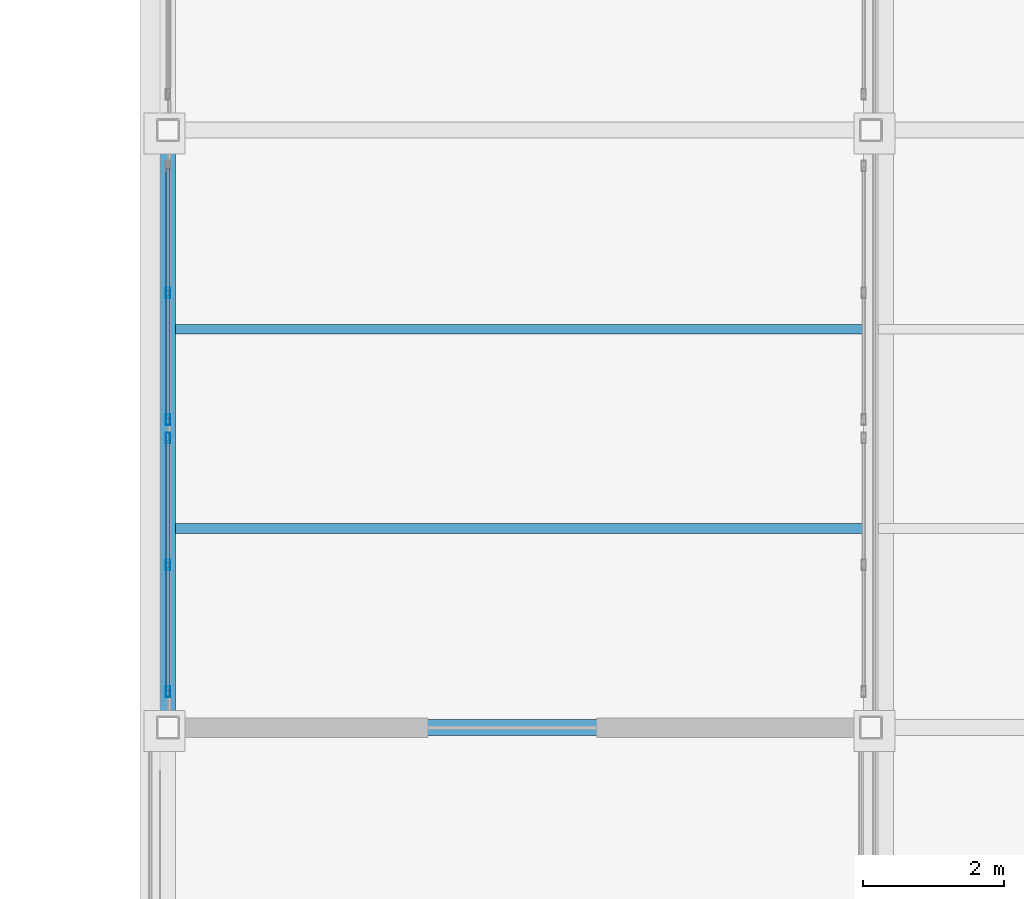
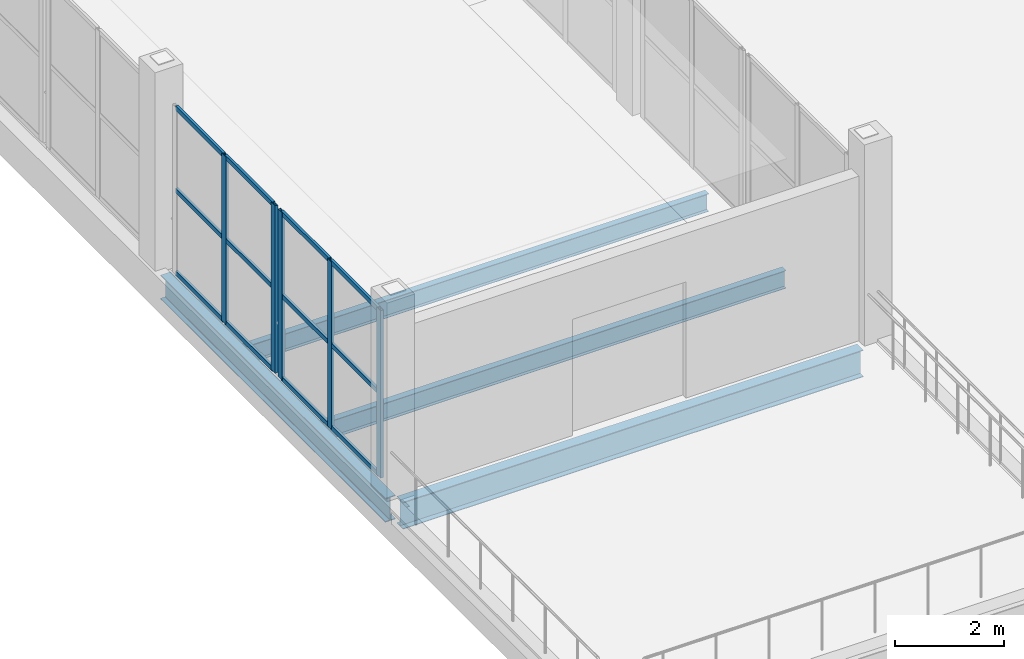
# One storey, part 60 of 156: 17 members, 4 beams, 2 elements without a shape of their own.
"""IFC4 building model written with IfcOpenShell, lengths in metres."""

from ifc_helpers import new_model, si_unit, direction, frame, origin, origin_2d, place, context, subcontext, project, spatial, hollow_rectangle, i_section, extrude, material, material_profile, profile_set, type_object, element, aggregate, save


model = new_model("IFC4")

# Units and contexts
model_context = context("Model", 3, precision=1e-05, world=origin(), true_north=direction((0.0, 1.0)))
body_context = subcontext(model_context, "Body", "Model", "MODEL_VIEW")
ifc_project = project(units=[si_unit("LENGTHUNIT", "METRE"), si_unit("AREAUNIT", "SQUARE_METRE"), si_unit("VOLUMEUNIT", "CUBIC_METRE"), si_unit("PLANEANGLEUNIT", "RADIAN"), si_unit("MASSUNIT", "GRAM", prefix="KILO")], contexts=[model_context])

# Site, building, storey
site_placement = place(None, origin())
site = spatial("IfcSite", under=ifc_project, at=site_placement, CompositionType="ELEMENT")
building_placement = place(site_placement, origin())
building = spatial("IfcBuilding", under=site, at=building_placement, Name="Caurita Quay Ferry Terminal", CompositionType="ELEMENT")
storey_placement = place(building_placement, frame((0.0, 0.0, 5.39990234375)))
storey = spatial("IfcBuildingStorey", under=building, at=storey_placement, Name="L01", CompositionType="ELEMENT", Elevation=5.39990234375)

# Beams
ifc_material_1 = material(Name="Structural steel ASTM A992 Gr. 50", Category="steel")
ifc_material_profile_1 = material_profile(ifc_material_1, i_section(OverallWidth=0.210693359375, OverallDepth=0.53857421875, WebThickness=0.01171875, FlangeThickness=0.018798828125, FilletRadius=0.013916015625, at=origin_2d()), Name="W21X73")
ifc_profile_set_1 = profile_set([ifc_material_profile_1], Name="Structural steel ASTM A992 Gr. 50")
beam_type_1 = type_object("IfcBeamType", Name="BM-GR-W21A", PredefinedType="BEAM", material=ifc_profile_set_1)
beam_1_placement = place(storey_placement, frame((132.800048828125, 8.62939453125, -0.504150390625), z_axis=(0.0, 1.0, 0.0), x_axis=(-1.0, 0.0, 0.0)))
element("IfcBeam", 1, at=beam_1_placement, inside=storey, type_object=beam_type_1, Name="L01 Beam BM-V3P-L01-Y-1328-86", PredefinedType="BEAM", context=body_context, shape_type="SweptSolid", body=[
    extrude(i_section(OverallWidth=0.210693359375, OverallDepth=0.53857421875, WebThickness=0.01171875, FlangeThickness=0.018798828125, FilletRadius=0.013916015625, at=origin_2d()), origin(), (0.0, 0.0, 1.0), 8.2412109375),
])
ifc_material_profile_2 = material_profile(ifc_material_1, i_section(OverallWidth=0.22802734375, OverallDepth=0.60205078125, WebThickness=0.010498046875, FlangeThickness=0.014892578125, at=origin_2d()), Name="W24X68")
ifc_profile_set_2 = profile_set([ifc_material_profile_2], Name="Structural steel ASTM A992 Gr. 50")
beam_type_2 = type_object("IfcBeamType", Name="BM-GR-W24C", PredefinedType="BEAM", material=ifc_profile_set_2)
beam_2_placement = place(storey_placement, frame((132.929443359375, 8.5, -0.560791015625), z_axis=(1.0, 0.0, 0.0), x_axis=(0.0, 1.0, 0.0)))
element("IfcBeam", 2, at=beam_2_placement, inside=storey, type_object=beam_type_2, Name="L01 Beam BM-V3P-L01-X-1329-85", PredefinedType="BEAM", context=body_context, shape_type="SweptSolid", body=[
    extrude(i_section(OverallWidth=0.22802734375, OverallDepth=0.60205078125, WebThickness=0.010498046875, FlangeThickness=0.014892578125, at=origin_2d()), origin(), (0.0, 0.0, 1.0), 9.740966796875),
])
ifc_material_profile_3 = material_profile(ifc_material_1, i_section(OverallWidth=0.139892578125, OverallDepth=0.39892578125, WebThickness=0.00634765625, FlangeThickness=0.0087890625, at=origin_2d()), Name="W16X26")
ifc_profile_set_3 = profile_set([ifc_material_profile_3], Name="Structural steel ASTM A992 Gr. 50")
beam_type_3 = type_object("IfcBeamType", Name="BM-JS-W16C", PredefinedType="JOIST", material=ifc_profile_set_3)
for number, where, z_axis, x_axis, name in (
    (3, (132.905517578125, 11.333251953125, -0.434326171875), (1.0, 0.0, 0.0), (0.0, 1.0, 0.0), "L01 Beam JS-V3P-L01-003"),
    (4, (132.905517578125, 14.166748046875, -0.434326171875), (1.0, 0.0, 0.0), (0.0, 1.0, 0.0), "L01 Beam JS-V3P-L01-004"),
):
    element("IfcBeam", number, at=place(storey_placement, frame(where, z_axis=z_axis, x_axis=x_axis)), inside=storey, type_object=beam_type_3, Name=name, PredefinedType="JOIST", context=body_context, shape_type="SweptSolid", body=[
        extrude(i_section(OverallWidth=0.139892578125, OverallDepth=0.39892578125, WebThickness=0.00634765625, FlangeThickness=0.0087890625, at=origin_2d()), origin(), (0.0, 0.0, 1.0), 9.7890625),
    ])

# Curtain wall, members
ifc_material_2 = material(Name="Laminated solar-control insulated glass", Category="glass")
curtain_wall_type = type_object("IfcCurtainWallType", Name="CW-SYS-15", PredefinedType="NOTDEFINED", material=ifc_material_2)
curtain_wall_1_placement = place(storey_placement, origin())
curtain_wall_1 = element("IfcCurtainWall", 5, at=curtain_wall_1_placement, inside=storey, type_object=curtain_wall_type, Name="Boarding Gangway Ribbon Curtain Wall 113", PredefinedType="NOTDEFINED")
ifc_material_3 = material(Name="Anodized aluminium 6063-T6", Category="aluminium")
ifc_material_profile_4 = material_profile(ifc_material_3, hollow_rectangle(XDim=0.06005859375, YDim=0.14990234375, WallThickness=0.00341796875, at=origin_2d()), Name="ALU-MUL-60X150")
ifc_profile_set_4 = profile_set([ifc_material_profile_4], Name="Anodized aluminium 6063-T6")
member_type_1 = type_object("IfcMemberType", Name="CW-MUL-150", PredefinedType="MULLION", material=ifc_profile_set_4)
member_1_placement = place(storey_placement, frame((132.800048828125, 9.010009765625, 0.0), z_axis=(0.0, 0.0, 1.0), x_axis=(-1.0, 0.0, 0.0)))
member_1 = element("IfcMember", 6, at=member_1_placement, type_object=member_type_1, Name="CW-BGW-113 Mullion 1", PredefinedType="MULLION", context=body_context, shape_type="SweptSolid", body=[
    extrude(hollow_rectangle(XDim=0.06005859375, YDim=0.14990234375, WallThickness=0.00341796875, at=origin_2d()), origin(), (0.0, 0.0, 1.0), 3.75),
])
member_2_placement = place(storey_placement, frame((132.800048828125, 10.81494140625, 0.0), z_axis=(0.0, 0.0, 1.0), x_axis=(-1.0, 0.0, 0.0)))
member_2 = element("IfcMember", 7, at=member_2_placement, type_object=member_type_1, Name="CW-BGW-113 Mullion 2", PredefinedType="MULLION", context=body_context, shape_type="SweptSolid", body=[
    extrude(hollow_rectangle(XDim=0.06005859375, YDim=0.14990234375, WallThickness=0.00341796875, at=origin_2d()), origin(), (0.0, 0.0, 1.0), 3.75),
])
member_3_placement = place(storey_placement, frame((132.800048828125, 12.6201171875, 0.0), z_axis=(0.0, 0.0, 1.0), x_axis=(-1.0, 0.0, 0.0)))
member_3 = element("IfcMember", 8, at=member_3_placement, type_object=member_type_1, Name="CW-BGW-113 Mullion 3", PredefinedType="MULLION", context=body_context, shape_type="SweptSolid", body=[
    extrude(hollow_rectangle(XDim=0.06005859375, YDim=0.14990234375, WallThickness=0.00341796875, at=origin_2d()), origin(), (0.0, 0.0, 1.0), 3.75),
])

curtain_wall_2_placement = place(storey_placement, origin())
curtain_wall_2 = element("IfcCurtainWall", 9, at=curtain_wall_2_placement, inside=storey, type_object=curtain_wall_type, Name="Boarding Gangway Ribbon Curtain Wall 114", PredefinedType="NOTDEFINED")
member_4_placement = place(storey_placement, frame((132.800048828125, 12.8798828125, 0.0), z_axis=(0.0, 0.0, 1.0), x_axis=(-1.0, 0.0, 0.0)))
member_4 = element("IfcMember", 10, at=member_4_placement, type_object=member_type_1, Name="CW-BGW-114 Mullion 1", PredefinedType="MULLION", context=body_context, shape_type="SweptSolid", body=[
    extrude(hollow_rectangle(XDim=0.06005859375, YDim=0.14990234375, WallThickness=0.00341796875, at=origin_2d()), origin(), (0.0, 0.0, 1.0), 3.75),
])
member_5_placement = place(storey_placement, frame((132.800048828125, 14.68505859375, 0.0), z_axis=(0.0, 0.0, 1.0), x_axis=(-1.0, 0.0, 0.0)))
member_5 = element("IfcMember", 11, at=member_5_placement, type_object=member_type_1, Name="CW-BGW-114 Mullion 2", PredefinedType="MULLION", context=body_context, shape_type="SweptSolid", body=[
    extrude(hollow_rectangle(XDim=0.06005859375, YDim=0.14990234375, WallThickness=0.00341796875, at=origin_2d()), origin(), (0.0, 0.0, 1.0), 3.75),
])

# Member
ifc_material_profile_5 = material_profile(ifc_material_3, hollow_rectangle(XDim=0.054931640625, YDim=0.10009765625, WallThickness=0.00341796875, at=origin_2d()), Name="ALU-TRN-55X100")
ifc_profile_set_5 = profile_set([ifc_material_profile_5], Name="Anodized aluminium 6063-T6")
member_type_2 = type_object("IfcMemberType", Name="CW-TRN-100", PredefinedType="USERDEFINED", material=ifc_profile_set_5)
member_6_placement = place(storey_placement, frame((132.800048828125, 9.0380859375, 0.027587890625), z_axis=(0.0, 1.0, 0.0), x_axis=(-1.0, 0.0, 0.0)))
member_6 = element("IfcMember", 12, at=member_6_placement, type_object=member_type_2, Name="CW-BGW-113 Transom 1", ObjectType="TRANSOM", PredefinedType="USERDEFINED", context=body_context, shape_type="SweptSolid", body=[
    extrude(hollow_rectangle(XDim=0.054931640625, YDim=0.10009765625, WallThickness=0.00341796875, at=origin_2d()), origin(), (0.0, 0.0, 1.0), 1.7490234375),
])

member_7_placement = place(storey_placement, frame((132.800048828125, 9.0380859375, 1.875), z_axis=(0.0, 1.0, 0.0), x_axis=(-1.0, 0.0, 0.0)))
member_7 = element("IfcMember", 13, at=member_7_placement, type_object=member_type_2, Name="CW-BGW-113 Transom 2", ObjectType="TRANSOM", PredefinedType="USERDEFINED", context=body_context, shape_type="SweptSolid", body=[
    extrude(hollow_rectangle(XDim=0.054931640625, YDim=0.10009765625, WallThickness=0.00341796875, at=origin_2d()), origin(), (0.0, 0.0, 1.0), 1.7490234375),
])

member_8_placement = place(storey_placement, frame((132.800048828125, 9.0380859375, 3.72265625), z_axis=(0.0, 1.0, 0.0), x_axis=(-1.0, 0.0, 0.0)))
member_8 = element("IfcMember", 14, at=member_8_placement, type_object=member_type_2, Name="CW-BGW-113 Transom 3", ObjectType="TRANSOM", PredefinedType="USERDEFINED", context=body_context, shape_type="SweptSolid", body=[
    extrude(hollow_rectangle(XDim=0.054931640625, YDim=0.10009765625, WallThickness=0.00341796875, at=origin_2d()), origin(), (0.0, 0.0, 1.0), 1.7490234375),
])

member_9_placement = place(storey_placement, frame((132.800048828125, 10.843017578125, 0.027587890625), z_axis=(0.0, 1.0, 0.0), x_axis=(-1.0, 0.0, 0.0)))
member_9 = element("IfcMember", 15, at=member_9_placement, type_object=member_type_2, Name="CW-BGW-113 Transom 4", ObjectType="TRANSOM", PredefinedType="USERDEFINED", context=body_context, shape_type="SweptSolid", body=[
    extrude(hollow_rectangle(XDim=0.054931640625, YDim=0.10009765625, WallThickness=0.00341796875, at=origin_2d()), origin(), (0.0, 0.0, 1.0), 1.7490234375),
])

member_10_placement = place(storey_placement, frame((132.800048828125, 10.843017578125, 1.875), z_axis=(0.0, 1.0, 0.0), x_axis=(-1.0, 0.0, 0.0)))
member_10 = element("IfcMember", 16, at=member_10_placement, type_object=member_type_2, Name="CW-BGW-113 Transom 5", ObjectType="TRANSOM", PredefinedType="USERDEFINED", context=body_context, shape_type="SweptSolid", body=[
    extrude(hollow_rectangle(XDim=0.054931640625, YDim=0.10009765625, WallThickness=0.00341796875, at=origin_2d()), origin(), (0.0, 0.0, 1.0), 1.7490234375),
])

member_11_placement = place(storey_placement, frame((132.800048828125, 10.843017578125, 3.72265625), z_axis=(0.0, 1.0, 0.0), x_axis=(-1.0, 0.0, 0.0)))
member_11 = element("IfcMember", 17, at=member_11_placement, type_object=member_type_2, Name="CW-BGW-113 Transom 6", ObjectType="TRANSOM", PredefinedType="USERDEFINED", context=body_context, shape_type="SweptSolid", body=[
    extrude(hollow_rectangle(XDim=0.054931640625, YDim=0.10009765625, WallThickness=0.00341796875, at=origin_2d()), origin(), (0.0, 0.0, 1.0), 1.7490234375),
])

aggregate(curtain_wall_1, [member_1, member_2, member_3, member_6, member_7, member_8, member_9, member_10, member_11])

member_12_placement = place(storey_placement, frame((132.800048828125, 12.907958984375, 0.027587890625), z_axis=(0.0, 1.0, 0.0), x_axis=(-1.0, 0.0, 0.0)))
member_12 = element("IfcMember", 18, at=member_12_placement, type_object=member_type_2, Name="CW-BGW-114 Transom 1", ObjectType="TRANSOM", PredefinedType="USERDEFINED", context=body_context, shape_type="SweptSolid", body=[
    extrude(hollow_rectangle(XDim=0.054931640625, YDim=0.10009765625, WallThickness=0.00341796875, at=origin_2d()), origin(), (0.0, 0.0, 1.0), 1.7490234375),
])

member_13_placement = place(storey_placement, frame((132.800048828125, 12.907958984375, 1.875), z_axis=(0.0, 1.0, 0.0), x_axis=(-1.0, 0.0, 0.0)))
member_13 = element("IfcMember", 19, at=member_13_placement, type_object=member_type_2, Name="CW-BGW-114 Transom 2", ObjectType="TRANSOM", PredefinedType="USERDEFINED", context=body_context, shape_type="SweptSolid", body=[
    extrude(hollow_rectangle(XDim=0.054931640625, YDim=0.10009765625, WallThickness=0.00341796875, at=origin_2d()), origin(), (0.0, 0.0, 1.0), 1.7490234375),
])

member_14_placement = place(storey_placement, frame((132.800048828125, 12.907958984375, 3.72265625), z_axis=(0.0, 1.0, 0.0), x_axis=(-1.0, 0.0, 0.0)))
member_14 = element("IfcMember", 20, at=member_14_placement, type_object=member_type_2, Name="CW-BGW-114 Transom 3", ObjectType="TRANSOM", PredefinedType="USERDEFINED", context=body_context, shape_type="SweptSolid", body=[
    extrude(hollow_rectangle(XDim=0.054931640625, YDim=0.10009765625, WallThickness=0.00341796875, at=origin_2d()), origin(), (0.0, 0.0, 1.0), 1.7490234375),
])

member_15_placement = place(storey_placement, frame((132.800048828125, 14.712890625, 0.027587890625), z_axis=(0.0, 1.0, 0.0), x_axis=(-1.0, 0.0, 0.0)))
member_15 = element("IfcMember", 21, at=member_15_placement, type_object=member_type_2, Name="CW-BGW-114 Transom 4", ObjectType="TRANSOM", PredefinedType="USERDEFINED", context=body_context, shape_type="SweptSolid", body=[
    extrude(hollow_rectangle(XDim=0.054931640625, YDim=0.10009765625, WallThickness=0.00341796875, at=origin_2d()), origin(), (0.0, 0.0, 1.0), 1.7490234375),
])

member_16_placement = place(storey_placement, frame((132.800048828125, 14.712890625, 1.875), z_axis=(0.0, 1.0, 0.0), x_axis=(-1.0, 0.0, 0.0)))
member_16 = element("IfcMember", 22, at=member_16_placement, type_object=member_type_2, Name="CW-BGW-114 Transom 5", ObjectType="TRANSOM", PredefinedType="USERDEFINED", context=body_context, shape_type="SweptSolid", body=[
    extrude(hollow_rectangle(XDim=0.054931640625, YDim=0.10009765625, WallThickness=0.00341796875, at=origin_2d()), origin(), (0.0, 0.0, 1.0), 1.7490234375),
])

member_17_placement = place(storey_placement, frame((132.800048828125, 14.712890625, 3.72265625), z_axis=(0.0, 1.0, 0.0), x_axis=(-1.0, 0.0, 0.0)))
member_17 = element("IfcMember", 23, at=member_17_placement, type_object=member_type_2, Name="CW-BGW-114 Transom 6", ObjectType="TRANSOM", PredefinedType="USERDEFINED", context=body_context, shape_type="SweptSolid", body=[
    extrude(hollow_rectangle(XDim=0.054931640625, YDim=0.10009765625, WallThickness=0.00341796875, at=origin_2d()), origin(), (0.0, 0.0, 1.0), 1.7490234375),
])

aggregate(curtain_wall_2, [member_4, member_5, member_12, member_13, member_14, member_15, member_16, member_17])

save(model, "model.ifc")
